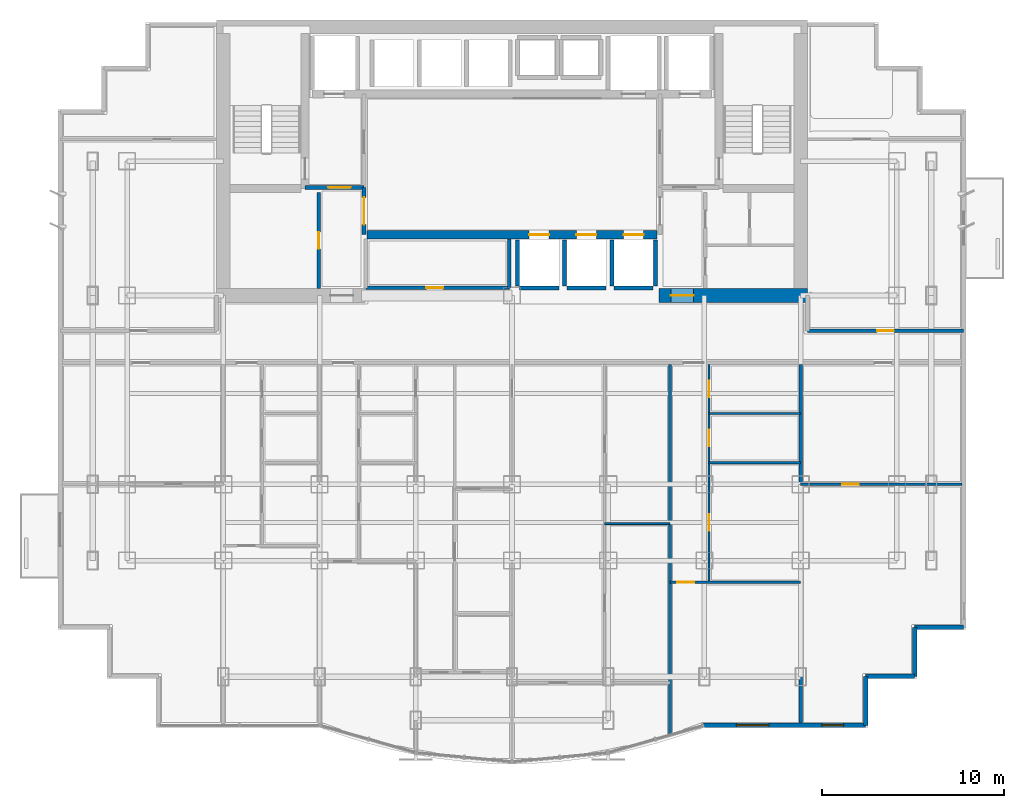
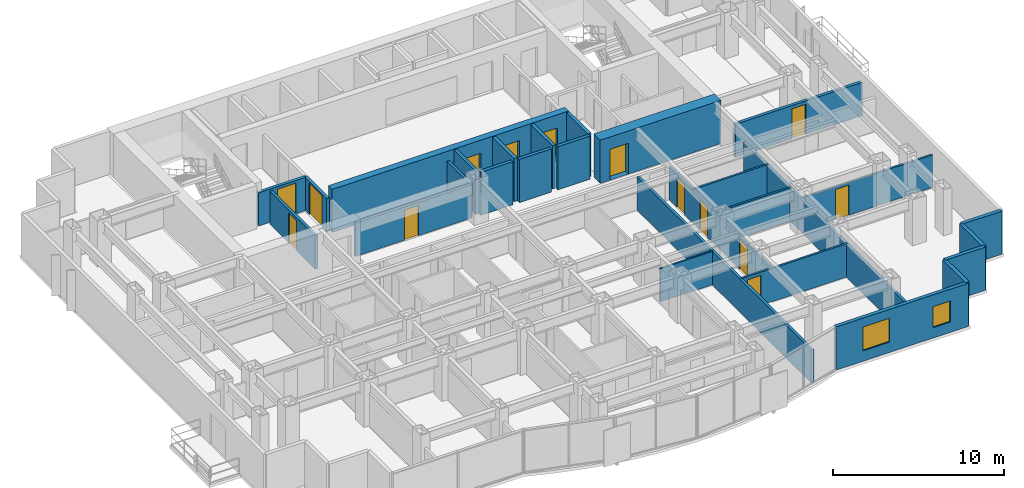
# One storey, part 6 of 10: 28 walls, 14 doors, 2 windows, 16 openings.
"""IFC4 building model written with IfcOpenShell, lengths in metres."""

from ifc_helpers import new_model, si_unit, direction, frame, frame_2d, origin, place, context, subcontext, project, spatial, rectangle, extrude, material, layer, layer_set, type_object, element, fill, save


model = new_model("IFC4")

# Units and contexts
model_context = context("Model", 3, precision=1e-05, world=origin(), true_north=direction((0.0, 1.0)))
body_context = subcontext(model_context, "Body", "Model", "MODEL_VIEW")
ifc_project = project(units=[si_unit("LENGTHUNIT", "METRE"), si_unit("AREAUNIT", "SQUARE_METRE"), si_unit("VOLUMEUNIT", "CUBIC_METRE"), si_unit("PLANEANGLEUNIT", "RADIAN"), si_unit("MASSUNIT", "GRAM", prefix="KILO")], contexts=[model_context])

# Site, building, storey
site_placement = place(None, origin())
site = spatial("IfcSite", under=ifc_project, at=site_placement, CompositionType="ELEMENT")
building_placement = place(site_placement, origin())
building = spatial("IfcBuilding", under=site, at=building_placement, Name="Qianlan Lanfeng Residences", CompositionType="ELEMENT")
storey_placement = place(building_placement, frame((0.0, 0.0, 114.699951171875)))
storey = spatial("IfcBuildingStorey", under=building, at=storey_placement, Name="L31", CompositionType="ELEMENT", Elevation=114.699951171875)

# Wall, openings, doors
ifc_material_1 = material(Name="Concrete C60", Category="concrete")
ifc_layer_1 = layer(ifc_material_1, 0.449951171875)
ifc_layer_set_1 = layer_set([ifc_layer_1], Name="Concrete C60")
wall_type_1 = type_object("IfcWallType", Name="CW-RC-450", PredefinedType="SHEAR", material=ifc_layer_set_1)
wall_1_placement = place(storey_placement, frame((18.5, 28.550048828125, 0.0), z_axis=(0.0, 0.0, 1.0), x_axis=(1.0, 0.0, 0.0)))
wall_1 = element("IfcWall", 1, at=wall_1_placement, inside=storey, type_object=wall_type_1, Name="L31 Core Shear Wall LBS", PredefinedType="SHEAR", context=body_context, shape_type="SweptSolid", body=[
    extrude(rectangle(XDim=16.0, YDim=0.449951171875, at=frame_2d((8.0, 0.0))), origin(), (0.0, 0.0, 1.0), 3.090087890625),
])
opening_1_placement = place(wall_1_placement, frame((8.949951171875, 0.0, 0.0)))
opening_1 = element("IfcOpeningElement", 2, at=opening_1_placement, cuts=wall_1, Name="Opening L31-LD-PL-M1", PredefinedType="OPENING", context=body_context, shape_type="SweptSolid", body=[
    extrude(rectangle(XDim=1.10009765625, YDim=2.14990234375, at=frame_2d((0.550048828125, 1.074951171875))), frame((0.0, 0.23486328125, 0.0), z_axis=(0.0, -1.0, 0.0), x_axis=(1.0, 0.0, 0.0)), (0.0, 0.0, 1.0), 0.469970703125),
])
opening_2_placement = place(wall_1_placement, frame((11.550048828125, 0.0, 0.0)))
opening_2 = element("IfcOpeningElement", 3, at=opening_2_placement, cuts=wall_1, Name="Opening L31-LD-PL-M2", PredefinedType="OPENING", context=body_context, shape_type="SweptSolid", body=[
    extrude(rectangle(XDim=1.10009765625, YDim=2.14990234375, at=frame_2d((0.550048828125, 1.074951171875))), frame((0.0, 0.23486328125, 0.0), z_axis=(0.0, -1.0, 0.0), x_axis=(1.0, 0.0, 0.0)), (0.0, 0.0, 1.0), 0.469970703125),
])
opening_3_placement = place(wall_1_placement, frame((14.14990234375, 0.0, 0.0)))
opening_3 = element("IfcOpeningElement", 4, at=opening_3_placement, cuts=wall_1, Name="Opening L31-LD-PL-M3", PredefinedType="OPENING", context=body_context, shape_type="SweptSolid", body=[
    extrude(rectangle(XDim=1.10009765625, YDim=2.14990234375, at=frame_2d((0.550048828125, 1.074951171875))), frame((0.0, 0.23486328125, 0.0), z_axis=(0.0, -1.0, 0.0), x_axis=(1.0, 0.0, 0.0)), (0.0, 0.0, 1.0), 0.469970703125),
])
ifc_material_2 = material(Name="Brushed Stainless Steel Sliding Lift Door", Category="steel")
door_type_1 = type_object("IfcDoorType", Name="LD-01", OperationType="NOTDEFINED", PredefinedType="DOOR", material=ifc_material_2)
door_1_placement = place(opening_1_placement, origin())
door_1 = element("IfcDoor", 5, at=door_1_placement, inside=storey, type_object=door_type_1, Name="L31 Elevator PL-M1 Sliding Landing Door", OperationType="DOUBLE_DOOR_SLIDING", OverallHeight=2.14990234375, OverallWidth=1.10009765625, PredefinedType="DOOR", context=body_context, shape_type="SweptSolid", body=[
    extrude(rectangle(XDim=1.10009765625, YDim=2.14990234375, at=frame_2d((0.550048828125, 1.074951171875))), frame((0.0, 0.02490234375, 0.0), z_axis=(0.0, -1.0, 0.0), x_axis=(1.0, 0.0, 0.0)), (0.0, 0.0, 1.0), 0.050048828125),
])
fill(opening_1, door_1)
door_2_placement = place(opening_2_placement, origin())
door_2 = element("IfcDoor", 6, at=door_2_placement, inside=storey, type_object=door_type_1, Name="L31 Elevator PL-M2 Sliding Landing Door", OperationType="DOUBLE_DOOR_SLIDING", OverallHeight=2.14990234375, OverallWidth=1.10009765625, PredefinedType="DOOR", context=body_context, shape_type="SweptSolid", body=[
    extrude(rectangle(XDim=1.10009765625, YDim=2.14990234375, at=frame_2d((0.550048828125, 1.074951171875))), frame((0.0, 0.02490234375, 0.0), z_axis=(0.0, -1.0, 0.0), x_axis=(1.0, 0.0, 0.0)), (0.0, 0.0, 1.0), 0.050048828125),
])
fill(opening_2, door_2)
door_3_placement = place(opening_3_placement, origin())
door_3 = element("IfcDoor", 7, at=door_3_placement, inside=storey, type_object=door_type_1, Name="L31 Elevator PL-M3 Sliding Landing Door", OperationType="DOUBLE_DOOR_SLIDING", OverallHeight=2.14990234375, OverallWidth=1.10009765625, PredefinedType="DOOR", context=body_context, shape_type="SweptSolid", body=[
    extrude(rectangle(XDim=1.10009765625, YDim=2.14990234375, at=frame_2d((0.550048828125, 1.074951171875))), frame((0.0, 0.02490234375, 0.0), z_axis=(0.0, -1.0, 0.0), x_axis=(1.0, 0.0, 0.0)), (0.0, 0.0, 1.0), 0.050048828125),
])
fill(opening_3, door_3)

# Wall, opening, door
ifc_layer_2 = layer(ifc_material_1, 0.75)
ifc_layer_set_2 = layer_set([ifc_layer_2], Name="Concrete C60")
wall_type_2 = type_object("IfcWallType", Name="CW-RC-750", PredefinedType="SHEAR", material=ifc_layer_set_2)
wall_2_placement = place(storey_placement, frame((34.60009765625, 25.199951171875, 0.0), z_axis=(0.0, 0.0, 1.0), x_axis=(1.0, 0.0, 0.0)))
wall_2 = element("IfcWall", 8, at=wall_2_placement, inside=storey, type_object=wall_type_2, Name="L31 Core Shear Wall SE", PredefinedType="SHEAR", context=body_context, shape_type="SweptSolid", body=[
    extrude(rectangle(XDim=8.1748046875, YDim=0.75, at=frame_2d((4.08740234375, 0.0))), origin(), (0.0, 0.0, 1.0), 3.090087890625),
])
opening_4_placement = place(wall_2_placement, frame((0.64990234375, 0.0, 0.0)))
opening_4 = element("IfcOpeningElement", 9, at=opening_4_placement, cuts=wall_2, Name="Opening L31-D02", PredefinedType="OPENING", context=body_context, shape_type="SweptSolid", body=[
    extrude(rectangle(XDim=1.25, YDim=2.199951171875, at=frame_2d((0.625, 1.10009765625))), frame((0.0, 0.385009765625, 0.0), z_axis=(0.0, -1.0, 0.0), x_axis=(1.0, 0.0, 0.0)), (0.0, 0.0, 1.0), 0.77001953125),
])
ifc_material_3 = material(Name="Painted Galvanised Steel Fire Door", Category="steel")
door_type_2 = type_object("IfcDoorType", Name="DT-FFL", OperationType="NOTDEFINED", PredefinedType="DOOR", material=ifc_material_3)
door_4_placement = place(opening_4_placement, frame((1.25, 0.0, 0.0), z_axis=(0.0, 0.0, 1.0), x_axis=(-1.0, 0.0, 0.0)))
door_4 = element("IfcDoor", 10, at=door_4_placement, inside=storey, type_object=door_type_2, Name="L31 East Core Lobby Smoke Door L31-D02 (DT-FFL)", OperationType="SINGLE_SWING_LEFT", OverallHeight=2.199951171875, OverallWidth=1.25, PredefinedType="DOOR", context=body_context, shape_type="SweptSolid", body=[
    extrude(rectangle(XDim=1.25, YDim=2.199951171875, at=frame_2d((0.625, 1.10009765625))), frame((0.0, 0.02490234375, 0.0), z_axis=(0.0, -1.0, 0.0), x_axis=(1.0, 0.0, 0.0)), (0.0, 0.0, 1.0), 0.050048828125),
])
fill(opening_4, door_4)

# Wall, openings, windows
ifc_material_4 = material(Name="Concrete C42", Category="concrete")
ifc_layer_3 = layer(ifc_material_4, 0.239990234375)
ifc_layer_set_3 = layer_set([ifc_layer_3], Name="Concrete C42")
wall_type_3 = type_object("IfcWallType", Name="EW-240", PredefinedType="SOLIDWALL", material=ifc_layer_set_3)
wall_3_placement = place(storey_placement, frame((37.05908203125, 1.52001953125, 0.0), z_axis=(0.0, 0.0, 1.0), x_axis=(1.0, 0.0, 0.0)))
wall_3 = element("IfcWall", 11, at=wall_3_placement, inside=storey, type_object=wall_type_3, Name="L31 Exterior Facade Spandrel Wall 5", PredefinedType="SOLIDWALL", context=body_context, shape_type="SweptSolid", body=[
    extrude(rectangle(XDim=8.9208984375, YDim=0.239990234375, at=frame_2d((4.46044921875, 0.0))), origin(), (0.0, 0.0, 1.0), 3.090087890625),
])
opening_5_placement = place(wall_3_placement, frame((1.7958984375, 0.0, 0.75)))
opening_5 = element("IfcOpeningElement", 12, at=opening_5_placement, cuts=wall_3, Name="Opening W-01", PredefinedType="OPENING", context=body_context, shape_type="SweptSolid", body=[
    extrude(rectangle(XDim=1.800048828125, YDim=1.699951171875, at=frame_2d((0.89990234375, 0.85009765625))), frame((0.0, 0.1298828125, 0.0), z_axis=(0.0, -1.0, 0.0), x_axis=(1.0, 0.0, 0.0)), (0.0, 0.0, 1.0), 0.260009765625),
])
opening_6_placement = place(wall_3_placement, frame((6.506103515625, 0.0, 0.75)))
opening_6 = element("IfcOpeningElement", 13, at=opening_6_placement, cuts=wall_3, Name="Opening W-03", PredefinedType="OPENING", context=body_context, shape_type="SweptSolid", body=[
    extrude(rectangle(XDim=1.199951171875, YDim=1.5, at=frame_2d((0.60009765625, 0.75))), frame((0.0, 0.1298828125, 0.0), z_axis=(0.0, -1.0, 0.0), x_axis=(1.0, 0.0, 0.0)), (0.0, 0.0, 1.0), 0.260009765625),
])
ifc_material_5 = material(Name="Anodised Bronze Aluminium Framed Double Glazing", Category="aluminium")
window_type_1 = type_object("IfcWindowType", Name="W-01", PartitioningType="SINGLE_PANEL", PredefinedType="WINDOW", material=ifc_material_5)
window_1_placement = place(opening_5_placement, origin())
window_1 = element("IfcWindow", 14, at=window_1_placement, inside=storey, type_object=window_type_1, Name="L31 Facade Punched Window W-01", OverallHeight=1.699951171875, OverallWidth=1.800048828125, PartitioningType="SINGLE_PANEL", PredefinedType="WINDOW", context=body_context, shape_type="SweptSolid", body=[
    extrude(rectangle(XDim=1.800048828125, YDim=1.699951171875, at=frame_2d((0.89990234375, 0.85009765625))), frame((0.0, 0.030029296875, 0.0), z_axis=(0.0, -1.0, 0.0), x_axis=(1.0, 0.0, 0.0)), (0.0, 0.0, 1.0), 0.06005859375),
])
fill(opening_5, window_1)
window_type_2 = type_object("IfcWindowType", Name="W-03", PartitioningType="SINGLE_PANEL", PredefinedType="WINDOW", material=ifc_material_5)
window_2_placement = place(opening_6_placement, origin())
window_2 = element("IfcWindow", 15, at=window_2_placement, inside=storey, type_object=window_type_2, Name="L31 Facade Bay Window W-03", OverallHeight=1.5, OverallWidth=1.199951171875, PartitioningType="SINGLE_PANEL", PredefinedType="WINDOW", context=body_context, shape_type="SweptSolid", body=[
    extrude(rectangle(XDim=1.199951171875, YDim=1.5, at=frame_2d((0.60009765625, 0.75))), frame((0.0, 0.030029296875, 0.0), z_axis=(0.0, -1.0, 0.0), x_axis=(1.0, 0.0, 0.0)), (0.0, 0.0, 1.0), 0.06005859375),
])
fill(opening_6, window_2)

# Walls
for number, where, z_axis, x_axis, name in (
    (16, (45.97998046875, 1.52001953125, 0.0), (0.0, 0.0, 1.0), (0.0, 1.0, 0.0), "L31 Exterior Facade Spandrel Wall 6"),
    (17, (45.97998046875, 4.219970703125, 0.0), (0.0, 0.0, 1.0), (1.0, 0.0, 0.0), "L31 Exterior Facade Spandrel Wall 7"),
    (18, (48.679931640625, 4.219970703125, 0.0), (0.0, 0.0, 1.0), (0.0, 1.0, 0.0), "L31 Exterior Facade Spandrel Wall 8"),
    (19, (48.679931640625, 6.919921875, 0.0), (0.0, 0.0, 1.0), (1.0, 0.0, 0.0), "L31 Exterior Facade Spandrel Wall 9"),
):
    element("IfcWall", number, at=place(storey_placement, frame(where, z_axis=z_axis, x_axis=x_axis)), inside=storey, type_object=wall_type_3, Name=name, PredefinedType="SOLIDWALL", context=body_context, shape_type="SweptSolid", body=[
        extrude(rectangle(XDim=2.699951171875, YDim=0.239990234375, at=frame_2d((1.35009765625, 0.0))), origin(), (0.0, 0.0, 1.0), 3.090087890625),
    ])
ifc_material_6 = material(Name="Demountable Acoustic Framing Partition 110 mm")
ifc_layer_4 = layer(ifc_material_6, 0.110107421875)
ifc_layer_set_4 = layer_set([ifc_layer_4], Name="Demountable Acoustic Framing Partition 110 mm")
wall_type_4 = type_object("IfcWallType", Name="PW-110", PredefinedType="MOVABLE", material=ifc_layer_set_4)
wall_4_placement = place(storey_placement, frame((31.60009765625, 12.636962890625, 0.0), z_axis=(0.0, 0.0, 1.0), x_axis=(1.0, 0.0, 0.0)))
element("IfcWall", 20, at=wall_4_placement, inside=storey, type_object=wall_type_4, Name="L31 U02 Specialty Split Wall", PredefinedType="MOVABLE", context=body_context, shape_type="SweptSolid", body=[
    extrude(rectangle(XDim=3.599853515625, YDim=0.110107421875, at=frame_2d((1.7998046875, 0.0))), origin(), (0.0, 0.0, 1.0), 2.380126953125),
])

# Wall, opening, door
ifc_material_7 = material(Name="Moisture-Resistant Gypsum Partition 135 mm")
ifc_layer_5 = layer(ifc_material_7, 0.135009765625)
ifc_layer_set_5 = layer_set([ifc_layer_5], Name="Moisture-Resistant Gypsum Partition 135 mm")
wall_type_5 = type_object("IfcWallType", Name="PW-135", PredefinedType="PARTITIONING", material=ifc_layer_set_5)
wall_5_placement = place(storey_placement, frame((35.199951171875, 9.39794921875, 0.0), z_axis=(0.0, 0.0, 1.0), x_axis=(1.0, 0.0, 0.0)))
wall_5 = element("IfcWall", 21, at=wall_5_placement, inside=storey, type_object=wall_type_5, Name="L31 U03 Living Divider", PredefinedType="PARTITIONING", context=body_context, shape_type="SweptSolid", body=[
    extrude(rectangle(XDim=7.199951171875, YDim=0.135009765625, at=frame_2d((3.60009765625, 0.0))), origin(), (0.0, 0.0, 1.0), 2.380126953125),
])
opening_7_placement = place(wall_5_placement, frame((0.4150390625, 0.0, 0.0)))
opening_7 = element("IfcOpeningElement", 22, at=opening_7_placement, cuts=wall_5, Name="Opening L31-D36", PredefinedType="OPENING", context=body_context, shape_type="SweptSolid", body=[
    extrude(rectangle(XDim=0.919921875, YDim=2.14990234375, at=frame_2d((0.4599609375, 1.074951171875))), frame((0.0, 0.07763671875, 0.0), z_axis=(0.0, -1.0, 0.0), x_axis=(1.0, 0.0, 0.0)), (0.0, 0.0, 1.0), 0.155029296875),
])
ifc_material_8 = material(Name="Glazed Timber Kitchen/Study Door", Category="wood")
door_type_3 = type_object("IfcDoorType", Name="DT-INT", OperationType="NOTDEFINED", PredefinedType="DOOR", material=ifc_material_8)
door_5_placement = place(opening_7_placement, frame((0.919921875, 0.0, 0.0), z_axis=(0.0, 0.0, 1.0), x_axis=(-1.0, 0.0, 0.0)))
door_5 = element("IfcDoor", 23, at=door_5_placement, inside=storey, type_object=door_type_3, Name="L31 U03 Living Passage Door L31-D36 (DT-INT)", OperationType="SINGLE_SWING_RIGHT", OverallHeight=2.14990234375, OverallWidth=0.919921875, PredefinedType="DOOR", context=body_context, shape_type="SweptSolid", body=[
    extrude(rectangle(XDim=0.919921875, YDim=2.14990234375, at=frame_2d((0.4599609375, 1.074951171875))), frame((0.0, 0.02490234375, 0.0), z_axis=(0.0, -1.0, 0.0), x_axis=(1.0, 0.0, 0.0)), (0.0, 0.0, 1.0), 0.050048828125),
])
fill(opening_7, door_5)

# Wall, openings, doors
wall_6_placement = place(storey_placement, frame((37.35009765625, 9.39794921875, 0.0), z_axis=(0.0, 0.0, 1.0), x_axis=(0.0, 1.0, 0.0)))
wall_6 = element("IfcWall", 24, at=wall_6_placement, inside=storey, type_object=wall_type_5, Name="L31 U03 Entry Hall Spine", PredefinedType="PARTITIONING", context=body_context, shape_type="SweptSolid", body=[
    extrude(rectangle(XDim=12.001953125, YDim=0.135009765625, at=frame_2d((6.0009765625, 0.0))), origin(), (0.0, 0.0, 1.0), 2.3349609375),
])
opening_8_placement = place(wall_6_placement, frame((2.841064453125, 0.0, 0.0)))
opening_8 = element("IfcOpeningElement", 25, at=opening_8_placement, cuts=wall_6, Name="Opening L31-D37", PredefinedType="OPENING", context=body_context, shape_type="SweptSolid", body=[
    extrude(rectangle(XDim=0.919921875, YDim=2.14990234375, at=frame_2d((0.4599609375, 1.074951171875))), frame((0.0, 0.07763671875, 0.0), z_axis=(0.0, -1.0, 0.0), x_axis=(1.0, 0.0, 0.0)), (0.0, 0.0, 1.0), 0.155029296875),
])
opening_9_placement = place(wall_6_placement, frame((7.491943359375, 0.0, 0.0)))
opening_9 = element("IfcOpeningElement", 26, at=opening_9_placement, cuts=wall_6, Name="Opening L31-D38", PredefinedType="OPENING", context=body_context, shape_type="SweptSolid", body=[
    extrude(rectangle(XDim=0.919921875, YDim=2.14990234375, at=frame_2d((0.4599609375, 1.074951171875))), frame((0.0, 0.07763671875, 0.0), z_axis=(0.0, -1.0, 0.0), x_axis=(1.0, 0.0, 0.0)), (0.0, 0.0, 1.0), 0.155029296875),
])
opening_10_placement = place(wall_6_placement, frame((10.201904296875, 0.0, 0.0)))
opening_10 = element("IfcOpeningElement", 27, at=opening_10_placement, cuts=wall_6, Name="Opening L31-D39", PredefinedType="OPENING", context=body_context, shape_type="SweptSolid", body=[
    extrude(rectangle(XDim=0.89990234375, YDim=2.14990234375, at=frame_2d((0.449951171875, 1.074951171875))), frame((0.0, 0.07763671875, 0.0), z_axis=(0.0, -1.0, 0.0), x_axis=(1.0, 0.0, 0.0)), (0.0, 0.0, 1.0), 0.155029296875),
])
door_6_placement = place(opening_8_placement, origin())
door_6 = element("IfcDoor", 28, at=door_6_placement, inside=storey, type_object=door_type_3, Name="L31 U03 Study Door L31-D37 (DT-INT)", OperationType="SINGLE_SWING_RIGHT", OverallHeight=2.14990234375, OverallWidth=0.919921875, PredefinedType="DOOR", context=body_context, shape_type="SweptSolid", body=[
    extrude(rectangle(XDim=0.919921875, YDim=2.14990234375, at=frame_2d((0.4599609375, 1.074951171875))), frame((0.0, 0.02490234375, 0.0), z_axis=(0.0, -1.0, 0.0), x_axis=(1.0, 0.0, 0.0)), (0.0, 0.0, 1.0), 0.050048828125),
])
fill(opening_8, door_6)
door_7_placement = place(opening_9_placement, origin())
door_7 = element("IfcDoor", 29, at=door_7_placement, inside=storey, type_object=door_type_3, Name="L31 U03 Kitchen Door L31-D38 (DT-INT)", OperationType="SINGLE_SWING_LEFT", OverallHeight=2.14990234375, OverallWidth=0.919921875, PredefinedType="DOOR", context=body_context, shape_type="SweptSolid", body=[
    extrude(rectangle(XDim=0.919921875, YDim=2.14990234375, at=frame_2d((0.4599609375, 1.074951171875))), frame((0.0, 0.02490234375, 0.0), z_axis=(0.0, -1.0, 0.0), x_axis=(1.0, 0.0, 0.0)), (0.0, 0.0, 1.0), 0.050048828125),
])
fill(opening_9, door_7)
ifc_material_9 = material(Name="Moisture-Resistant Timber Leaf", Category="wood")
door_type_4 = type_object("IfcDoorType", Name="DT-WC", OperationType="NOTDEFINED", PredefinedType="DOOR", material=ifc_material_9)
door_8_placement = place(opening_10_placement, origin())
door_8 = element("IfcDoor", 30, at=door_8_placement, inside=storey, type_object=door_type_4, Name="L31 U03 Bathroom Door L31-D39 (DT-WC)", OperationType="SINGLE_SWING_RIGHT", OverallHeight=2.14990234375, OverallWidth=0.89990234375, PredefinedType="DOOR", context=body_context, shape_type="SweptSolid", body=[
    extrude(rectangle(XDim=0.89990234375, YDim=2.14990234375, at=frame_2d((0.449951171875, 1.074951171875))), frame((0.0, 0.02490234375, 0.0), z_axis=(0.0, -1.0, 0.0), x_axis=(1.0, 0.0, 0.0)), (0.0, 0.0, 1.0), 0.050048828125),
])
fill(opening_10, door_8)

# Walls
for number, where, z_axis, x_axis, name in (
    (31, (37.35009765625, 16.0, 0.0), (0.0, 0.0, 1.0), (1.0, 0.0, 0.0), "L31 U03 Kitchen South Wall"),
    (32, (37.35009765625, 18.699951171875, 0.0), (0.0, 0.0, 1.0), (1.0, 0.0, 0.0), "L31 U03 Bathroom South Wall"),
):
    element("IfcWall", number, at=place(storey_placement, frame(where, z_axis=z_axis, x_axis=x_axis)), inside=storey, type_object=wall_type_5, Name=name, PredefinedType="PARTITIONING", context=body_context, shape_type="SweptSolid", body=[
        extrude(rectangle(XDim=5.0498046875, YDim=0.135009765625, at=frame_2d((2.52490234375, 0.0))), origin(), (0.0, 0.0, 1.0), 2.380126953125),
    ])

# Wall, opening, door
wall_7_placement = place(storey_placement, frame((42.39990234375, 14.800048828125, 0.0), z_axis=(0.0, 0.0, 1.0), x_axis=(1.0, 0.0, 0.0)))
wall_7 = element("IfcWall", 33, at=wall_7_placement, inside=storey, type_object=wall_type_5, Name="L31 SEP Mid Partition", PredefinedType="PARTITIONING", context=body_context, shape_type="SweptSolid", body=[
    extrude(rectangle(XDim=8.880126953125, YDim=0.135009765625, at=frame_2d((4.43994140625, 0.0))), origin(), (0.0, 0.0, 1.0), 2.3349609375),
])
opening_11_placement = place(wall_7_placement, frame((2.280029296875, 0.0, 0.0)))
opening_11 = element("IfcOpeningElement", 34, at=opening_11_placement, cuts=wall_7, Name="Opening L31-D42", PredefinedType="OPENING", context=body_context, shape_type="SweptSolid", body=[
    extrude(rectangle(XDim=0.919921875, YDim=2.14990234375, at=frame_2d((0.4599609375, 1.074951171875))), frame((0.0, 0.07763671875, 0.0), z_axis=(0.0, -1.0, 0.0), x_axis=(1.0, 0.0, 0.0)), (0.0, 0.0, 1.0), 0.155029296875),
])
door_9_placement = place(opening_11_placement, origin())
door_9 = element("IfcDoor", 35, at=door_9_placement, inside=storey, type_object=door_type_3, Name="L31 SEP Inner Door L31-D42 (DT-INT)", OperationType="SINGLE_SWING_LEFT", OverallHeight=2.14990234375, OverallWidth=0.919921875, PredefinedType="DOOR", context=body_context, shape_type="SweptSolid", body=[
    extrude(rectangle(XDim=0.919921875, YDim=2.14990234375, at=frame_2d((0.4599609375, 1.074951171875))), frame((0.0, 0.02490234375, 0.0), z_axis=(0.0, -1.0, 0.0), x_axis=(1.0, 0.0, 0.0)), (0.0, 0.0, 1.0), 0.050048828125),
])
fill(opening_11, door_9)

ifc_material_10 = material(Name="Double-Layer Acoustic Gypsum Stud Wall 180 mm")
ifc_layer_6 = layer(ifc_material_10, 0.179931640625)
ifc_layer_set_6 = layer_set([ifc_layer_6], Name="Double-Layer Acoustic Gypsum Stud Wall 180 mm")
wall_type_6 = type_object("IfcWallType", Name="PW-180", PredefinedType="PARTITIONING", material=ifc_layer_set_6)
wall_8_placement = place(storey_placement, frame((15.85009765625, 25.574951171875, 0.0), z_axis=(0.0, 0.0, 1.0), x_axis=(0.0, 1.0, 0.0)))
wall_8 = element("IfcWall", 36, at=wall_8_placement, inside=storey, type_object=wall_type_6, Name="L31 Core West Service Room Wall", PredefinedType="PARTITIONING", context=body_context, shape_type="SweptSolid", body=[
    extrude(rectangle(XDim=5.300048828125, YDim=0.179931640625, at=frame_2d((2.64990234375, 0.0))), origin(), (0.0, 0.0, 1.0), 2.380126953125),
])
opening_12_placement = place(wall_8_placement, frame((2.18994140625, 0.0, 0.0)))
opening_12 = element("IfcOpeningElement", 37, at=opening_12_placement, cuts=wall_8, Name="Opening L31-D09", PredefinedType="OPENING", context=body_context, shape_type="SweptSolid", body=[
    extrude(rectangle(XDim=0.919921875, YDim=2.14990234375, at=frame_2d((0.4599609375, 1.074951171875))), frame((0.0, 0.10009765625, 0.0), z_axis=(0.0, -1.0, 0.0), x_axis=(1.0, 0.0, 0.0)), (0.0, 0.0, 1.0), 0.199951171875),
])
door_10_placement = place(opening_12_placement, origin())
door_10 = element("IfcDoor", 38, at=door_10_placement, inside=storey, type_object=door_type_3, Name="L31 Storage Room Door L31-D09 (DT-INT)", OperationType="SINGLE_SWING_RIGHT", OverallHeight=2.14990234375, OverallWidth=0.919921875, PredefinedType="DOOR", context=body_context, shape_type="SweptSolid", body=[
    extrude(rectangle(XDim=0.919921875, YDim=2.14990234375, at=frame_2d((0.4599609375, 1.074951171875))), frame((0.0, 0.02490234375, 0.0), z_axis=(0.0, -1.0, 0.0), x_axis=(1.0, 0.0, 0.0)), (0.0, 0.0, 1.0), 0.050048828125),
])
fill(opening_12, door_10)

# Wall
wall_9_placement = place(storey_placement, frame((26.35009765625, 25.6201171875, 0.0), z_axis=(0.0, 0.0, 1.0), x_axis=(0.0, 1.0, 0.0)))
element("IfcWall", 39, at=wall_9_placement, inside=storey, type_object=wall_type_6, Name="L31 Reclaimed Low-Bank Room East Wall", PredefinedType="PARTITIONING", context=body_context, shape_type="SweptSolid", body=[
    extrude(rectangle(XDim=2.704833984375, YDim=0.179931640625, at=frame_2d((1.3525390625, 0.0))), origin(), (0.0, 0.0, 1.0), 2.380126953125),
])

# Wall, opening, door
wall_10_placement = place(storey_placement, frame((18.449951171875, 25.6201171875, 0.0), z_axis=(0.0, 0.0, 1.0), x_axis=(1.0, 0.0, 0.0)))
wall_10 = element("IfcWall", 40, at=wall_10_placement, inside=storey, type_object=wall_type_6, Name="L31 Reclaimed Low-Bank Room South Wall", PredefinedType="PARTITIONING", context=body_context, shape_type="SweptSolid", body=[
    extrude(rectangle(XDim=7.900146484375, YDim=0.179931640625, at=frame_2d((3.9501953125, 0.0))), origin(), (0.0, 0.0, 1.0), 2.380126953125),
])
opening_13_placement = place(wall_10_placement, frame((3.340087890625, 0.0, 0.0)))
opening_13 = element("IfcOpeningElement", 41, at=opening_13_placement, cuts=wall_10, Name="Opening L31-D15", PredefinedType="OPENING", context=body_context, shape_type="SweptSolid", body=[
    extrude(rectangle(XDim=0.919921875, YDim=2.14990234375, at=frame_2d((0.4599609375, 1.074951171875))), frame((0.0, 0.10009765625, 0.0), z_axis=(0.0, -1.0, 0.0), x_axis=(1.0, 0.0, 0.0)), (0.0, 0.0, 1.0), 0.199951171875),
])
door_11_placement = place(opening_13_placement, origin())
door_11 = element("IfcDoor", 42, at=door_11_placement, inside=storey, type_object=door_type_3, Name="L31 Reclaimed Core Salon Door L31-D15 (DT-INT)", OperationType="SINGLE_SWING_RIGHT", OverallHeight=2.14990234375, OverallWidth=0.919921875, PredefinedType="DOOR", context=body_context, shape_type="SweptSolid", body=[
    extrude(rectangle(XDim=0.919921875, YDim=2.14990234375, at=frame_2d((0.4599609375, 1.074951171875))), frame((0.0, 0.02490234375, 0.0), z_axis=(0.0, -1.0, 0.0), x_axis=(1.0, 0.0, 0.0)), (0.0, 0.0, 1.0), 0.050048828125),
])
fill(opening_13, door_11)

# Walls
wall_11_placement = place(storey_placement, frame((42.39990234375, 1.6201171875, 0.0), z_axis=(0.0, 0.0, 1.0), x_axis=(0.0, 1.0, 0.0)))
element("IfcWall", 43, at=wall_11_placement, inside=storey, type_object=wall_type_6, Name="L31 Wing Boundary Party Wall E0", PredefinedType="PARTITIONING", context=body_context, shape_type="SweptSolid", body=[
    extrude(rectangle(XDim=19.77978515625, YDim=0.179931640625, at=frame_2d((9.889892578125, 0.0))), origin(), (0.0, 0.0, 1.0), 2.3349609375),
])
wall_12_placement = place(storey_placement, frame((35.199951171875, 0.989990234375, 0.0), z_axis=(0.0, 0.0, 1.0), x_axis=(0.0, 1.0, 0.0)))
element("IfcWall", 44, at=wall_12_placement, inside=storey, type_object=wall_type_6, Name="L31 Inter-Tenancy Party Wall 3", PredefinedType="PARTITIONING", context=body_context, shape_type="SweptSolid", body=[
    extrude(rectangle(XDim=20.409912109375, YDim=0.179931640625, at=frame_2d((10.205078125, 0.0))), origin(), (0.0, 0.0, 1.0), 2.380126953125),
])

# Wall, opening, door
ifc_material_11 = material(Name="Autoclaved Aerated Concrete Blockwork 200 mm", Category="masonry")
ifc_layer_7 = layer(ifc_material_11, 0.199951171875)
ifc_layer_set_7 = layer_set([ifc_layer_7], Name="Autoclaved Aerated Concrete Blockwork 200 mm")
wall_type_7 = type_object("IfcWallType", Name="PW-200", PredefinedType="PARTITIONING", material=ifc_layer_set_7)
wall_13_placement = place(storey_placement, frame((15.10009765625, 31.14990234375, 0.0), z_axis=(0.0, 0.0, 1.0), x_axis=(1.0, 0.0, 0.0)))
wall_13 = element("IfcWall", 45, at=wall_13_placement, inside=storey, type_object=wall_type_7, Name="L31 Firefighting Lobby 1 South Wall", PredefinedType="PARTITIONING", context=body_context, shape_type="SweptSolid", body=[
    extrude(rectangle(XDim=3.25, YDim=0.199951171875, at=frame_2d((1.625, 0.0))), origin(), (0.0, 0.0, 1.0), 2.380126953125),
])
opening_14_placement = place(wall_13_placement, frame((1.27490234375, 0.0, 0.0)))
opening_14 = element("IfcOpeningElement", 46, at=opening_14_placement, cuts=wall_13, Name="Opening L31-D03", PredefinedType="OPENING", context=body_context, shape_type="SweptSolid", body=[
    extrude(rectangle(XDim=1.25, YDim=2.199951171875, at=frame_2d((0.625, 1.10009765625))), frame((0.0, 0.10986328125, 0.0), z_axis=(0.0, -1.0, 0.0), x_axis=(1.0, 0.0, 0.0)), (0.0, 0.0, 1.0), 0.219970703125),
])
door_12_placement = place(opening_14_placement, origin())
door_12 = element("IfcDoor", 47, at=door_12_placement, inside=storey, type_object=door_type_2, Name="L31 Firefighting Lobby 1 Entry Door L31-D03 (DT-FFL)", OperationType="SINGLE_SWING_LEFT", OverallHeight=2.199951171875, OverallWidth=1.25, PredefinedType="DOOR", context=body_context, shape_type="SweptSolid", body=[
    extrude(rectangle(XDim=1.25, YDim=2.199951171875, at=frame_2d((0.625, 1.10009765625))), frame((0.0, 0.02490234375, 0.0), z_axis=(0.0, -1.0, 0.0), x_axis=(1.0, 0.0, 0.0)), (0.0, 0.0, 1.0), 0.050048828125),
])
fill(opening_14, door_12)

wall_14_placement = place(storey_placement, frame((18.35009765625, 28.550048828125, 0.0), z_axis=(0.0, 0.0, 1.0), x_axis=(0.0, 1.0, 0.0)))
wall_14 = element("IfcWall", 48, at=wall_14_placement, inside=storey, type_object=wall_type_7, Name="L31 Lift Lobby West Connector Wall", PredefinedType="PARTITIONING", context=body_context, shape_type="SweptSolid", body=[
    extrude(rectangle(XDim=2.599853515625, YDim=0.199951171875, at=frame_2d((1.2998046875, 0.0))), origin(), (0.0, 0.0, 1.0), 2.380126953125),
])
opening_15_placement = place(wall_14_placement, frame((0.550048828125, 0.0, 0.0)))
opening_15 = element("IfcOpeningElement", 49, at=opening_15_placement, cuts=wall_14, Name="Opening L31-D13", PredefinedType="OPENING", context=body_context, shape_type="SweptSolid", body=[
    extrude(rectangle(XDim=1.5, YDim=2.25, at=frame_2d((0.75, 1.125))), frame((0.0, 0.10986328125, 0.0), z_axis=(0.0, -1.0, 0.0), x_axis=(1.0, 0.0, 0.0)), (0.0, 0.0, 1.0), 0.219970703125),
])
ifc_material_12 = material(Name="Timber Veneer Acoustic Fire Door", Category="wood")
door_type_5 = type_object("IfcDoorType", Name="DT-COR1", OperationType="NOTDEFINED", PredefinedType="DOOR", material=ifc_material_12)
door_13_placement = place(opening_15_placement, origin())
door_13 = element("IfcDoor", 50, at=door_13_placement, inside=storey, type_object=door_type_5, Name="L31 Lift Lobby West Portal Door L31-D13 (DT-COR1)", OperationType="DOUBLE_DOOR_SINGLE_SWING", OverallHeight=2.25, OverallWidth=1.5, PredefinedType="DOOR", context=body_context, shape_type="SweptSolid", body=[
    extrude(rectangle(XDim=1.5, YDim=2.25, at=frame_2d((0.75, 1.125))), frame((0.0, 0.02490234375, 0.0), z_axis=(0.0, -1.0, 0.0), x_axis=(1.0, 0.0, 0.0)), (0.0, 0.0, 1.0), 0.050048828125),
])
fill(opening_15, door_13)

wall_15_placement = place(storey_placement, frame((42.77490234375, 23.25, 0.0), z_axis=(0.0, 0.0, 1.0), x_axis=(1.0, 0.0, 0.0)))
wall_15 = element("IfcWall", 51, at=wall_15_placement, inside=storey, type_object=wall_type_7, Name="L31 Corridor NE Wall", PredefinedType="PARTITIONING", context=body_context, shape_type="SweptSolid", body=[
    extrude(rectangle(XDim=8.60498046875, YDim=0.199951171875, at=frame_2d((4.302490234375, 0.0))), origin(), (0.0, 0.0, 1.0), 2.380126953125),
])
opening_16_placement = place(wall_15_placement, frame((3.842041015625, 0.0, 0.0)))
opening_16 = element("IfcOpeningElement", 52, at=opening_16_placement, cuts=wall_15, Name="Opening L31-D47", PredefinedType="OPENING", context=body_context, shape_type="SweptSolid", body=[
    extrude(rectangle(XDim=0.919921875, YDim=2.14990234375, at=frame_2d((0.4599609375, 1.074951171875))), frame((0.0, 0.10986328125, 0.0), z_axis=(0.0, -1.0, 0.0), x_axis=(1.0, 0.0, 0.0)), (0.0, 0.0, 1.0), 0.219970703125),
])
door_14_placement = place(opening_16_placement, origin())
door_14 = element("IfcDoor", 53, at=door_14_placement, inside=storey, type_object=door_type_3, Name="L31 EW Amenity Salon Door L31-D47 (DT-INT)", OperationType="SINGLE_SWING_RIGHT", OverallHeight=2.14990234375, OverallWidth=0.919921875, PredefinedType="DOOR", context=body_context, shape_type="SweptSolid", body=[
    extrude(rectangle(XDim=0.919921875, YDim=2.14990234375, at=frame_2d((0.4599609375, 1.074951171875))), frame((0.0, 0.02490234375, 0.0), z_axis=(0.0, -1.0, 0.0), x_axis=(1.0, 0.0, 0.0)), (0.0, 0.0, 1.0), 0.050048828125),
])
fill(opening_16, door_14)

# Walls
ifc_material_13 = material(Name="Concrete C49", Category="concrete")
ifc_layer_8 = layer(ifc_material_13, 0.219970703125)
ifc_layer_set_8 = layer_set([ifc_layer_8], Name="Concrete C49")
wall_type_8 = type_object("IfcWallType", Name="SHW-220", PredefinedType="SOLIDWALL", material=ifc_layer_set_8)
wall_16_placement = place(storey_placement, frame((26.800048828125, 25.719970703125, 0.0), z_axis=(0.0, 0.0, 1.0), x_axis=(0.0, 1.0, 0.0)))
element("IfcWall", 54, at=wall_16_placement, inside=storey, type_object=wall_type_8, Name="L31 Lift PL-M1 Shaft Wall W", PredefinedType="SOLIDWALL", context=body_context, shape_type="SweptSolid", body=[
    extrude(rectangle(XDim=2.530029296875, YDim=0.219970703125, at=frame_2d((1.26513671875, 0.0))), origin(), (0.0, 0.0, 1.0), 3.090087890625),
])
wall_17_placement = place(storey_placement, frame((26.919921875, 25.60009765625, 0.0), z_axis=(0.0, 0.0, 1.0), x_axis=(1.0, 0.0, 0.0)))
element("IfcWall", 55, at=wall_17_placement, inside=storey, type_object=wall_type_8, Name="L31 Lift PL-M1 Shaft Back Wall S", PredefinedType="SOLIDWALL", context=body_context, shape_type="SweptSolid", body=[
    extrude(rectangle(XDim=2.16015625, YDim=0.219970703125, at=frame_2d((1.080078125, 0.0))), origin(), (0.0, 0.0, 1.0), 3.090087890625),
])
wall_18_placement = place(storey_placement, frame((29.39990234375, 25.719970703125, 0.0), z_axis=(0.0, 0.0, 1.0), x_axis=(0.0, 1.0, 0.0)))
element("IfcWall", 56, at=wall_18_placement, inside=storey, type_object=wall_type_8, Name="L31 Lift PL-M2 Shaft Wall W", PredefinedType="SOLIDWALL", context=body_context, shape_type="SweptSolid", body=[
    extrude(rectangle(XDim=2.530029296875, YDim=0.219970703125, at=frame_2d((1.26513671875, 0.0))), origin(), (0.0, 0.0, 1.0), 3.090087890625),
])
wall_19_placement = place(storey_placement, frame((29.52001953125, 25.60009765625, 0.0), z_axis=(0.0, 0.0, 1.0), x_axis=(1.0, 0.0, 0.0)))
element("IfcWall", 57, at=wall_19_placement, inside=storey, type_object=wall_type_8, Name="L31 Lift PL-M2 Shaft Back Wall S", PredefinedType="SOLIDWALL", context=body_context, shape_type="SweptSolid", body=[
    extrude(rectangle(XDim=2.159912109375, YDim=0.219970703125, at=frame_2d((1.080078125, 0.0))), origin(), (0.0, 0.0, 1.0), 3.090087890625),
])
for number, where, z_axis, x_axis, name in (
    (58, (32.0, 25.719970703125, 0.0), (0.0, 0.0, 1.0), (0.0, 1.0, 0.0), "L31 Lift PL-M3 Shaft Wall W"),
    (59, (34.39990234375, 25.719970703125, 0.0), (0.0, 0.0, 1.0), (0.0, 1.0, 0.0), "L31 Lift PL-M3 Shaft Wall E"),
):
    element("IfcWall", number, at=place(storey_placement, frame(where, z_axis=z_axis, x_axis=x_axis)), inside=storey, type_object=wall_type_8, Name=name, PredefinedType="SOLIDWALL", context=body_context, shape_type="SweptSolid", body=[
        extrude(rectangle(XDim=2.530029296875, YDim=0.219970703125, at=frame_2d((1.26513671875, 0.0))), origin(), (0.0, 0.0, 1.0), 3.090087890625),
    ])
wall_20_placement = place(storey_placement, frame((32.1201171875, 25.60009765625, 0.0), z_axis=(0.0, 0.0, 1.0), x_axis=(1.0, 0.0, 0.0)))
element("IfcWall", 60, at=wall_20_placement, inside=storey, type_object=wall_type_8, Name="L31 Lift PL-M3 Shaft Back Wall S", PredefinedType="SOLIDWALL", context=body_context, shape_type="SweptSolid", body=[
    extrude(rectangle(XDim=2.159912109375, YDim=0.219970703125, at=frame_2d((1.080078125, 0.0))), origin(), (0.0, 0.0, 1.0), 3.090087890625),
])

save(model, "model.ifc")
